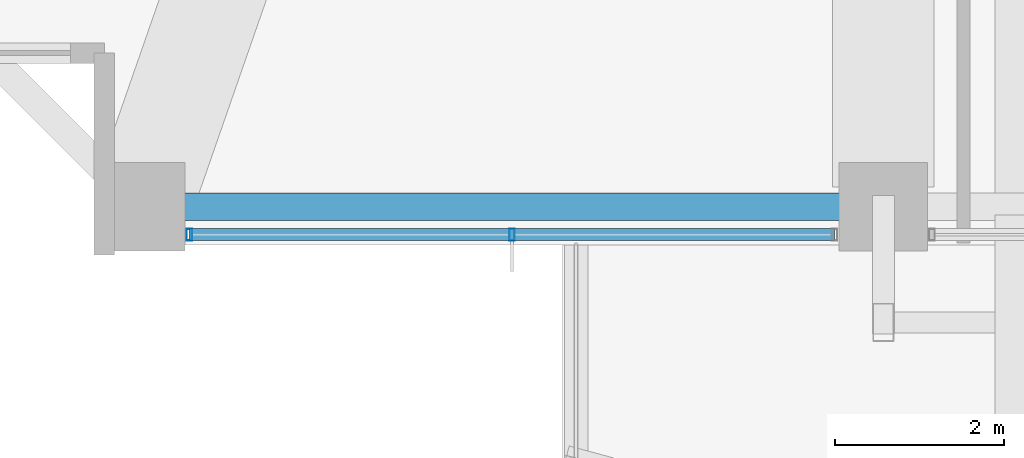
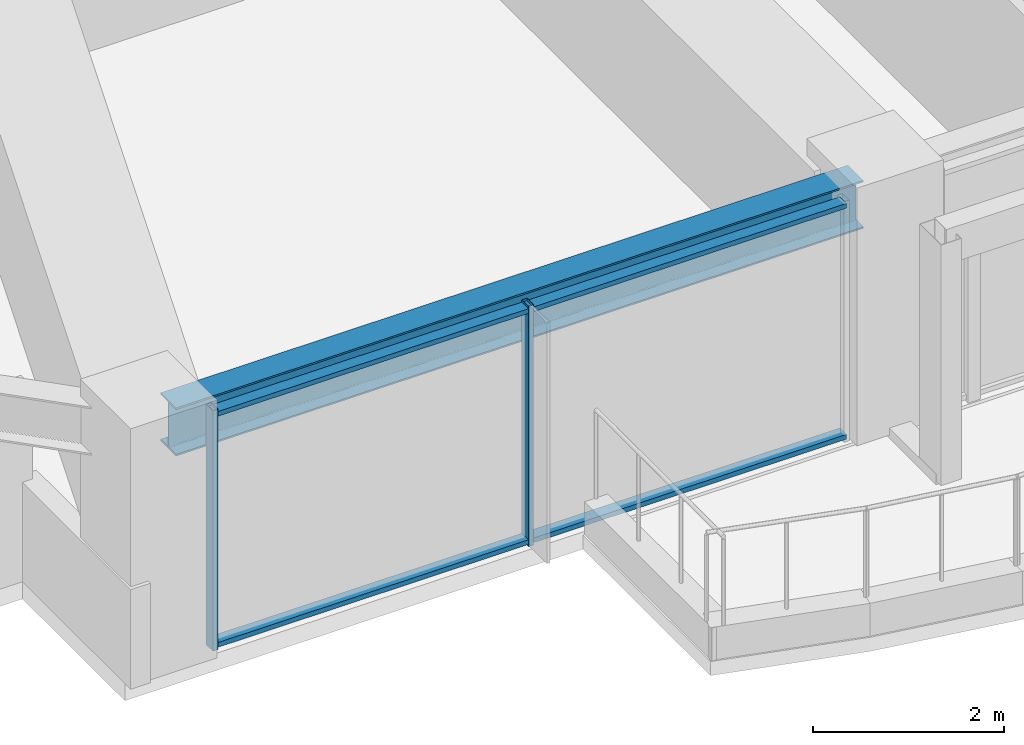
# One storey, part 2 of 39: 4 members, 1 beam, 1 element without a shape of its own.
"""IFC4 building model written with IfcOpenShell, lengths in metres."""

from ifc_helpers import new_model, si_unit, direction, frame, origin, origin_2d, place, context, subcontext, project, spatial, hollow_rectangle, i_section, extrude, material, material_profile, profile_set, type_object, element, aggregate, save


model = new_model("IFC4")

# Units and contexts
model_context = context("Model", 3, precision=1e-05, world=origin(), true_north=direction((0.0, 1.0)))
body_context = subcontext(model_context, "Body", "Model", "MODEL_VIEW")
ifc_project = project(units=[si_unit("LENGTHUNIT", "METRE"), si_unit("AREAUNIT", "SQUARE_METRE"), si_unit("VOLUMEUNIT", "CUBIC_METRE"), si_unit("PLANEANGLEUNIT", "RADIAN"), si_unit("MASSUNIT", "GRAM", prefix="KILO")], contexts=[model_context])

# Site, building, storey
site_placement = place(None, origin())
site = spatial("IfcSite", under=ifc_project, at=site_placement, CompositionType="ELEMENT")
building_placement = place(site_placement, origin())
building = spatial("IfcBuilding", under=site, at=building_placement, Name="Kolvaren Belvedere", CompositionType="ELEMENT")
storey_placement = place(building_placement, frame((0.0, 0.0, 85.39990234375)))
storey = spatial("IfcBuildingStorey", under=building, at=storey_placement, Name="L24", CompositionType="ELEMENT", Elevation=85.39990234375)

# Beam
ifc_material_1 = material(Name="Structural steel ASTM A992 Grade 50", Category="steel")
ifc_material_profile_1 = material_profile(ifc_material_1, i_section(OverallWidth=0.324951171875, OverallDepth=0.615966796875, WebThickness=0.013916015625, FlangeThickness=0.021484375, FilletRadius=0.02001953125, at=origin_2d()), Name="W24X117")
ifc_profile_set_1 = profile_set([ifc_material_profile_1], Name="Structural steel ASTM A992 Grade 50")
beam_type = type_object("IfcBeamType", Name="BM-SPAN-W24X117", PredefinedType="SPANDREL", material=ifc_profile_set_1)
beam_placement = place(storey_placement, frame((-13.163818359375, -19.949951171875, 2.772216796875), z_axis=(1.0, 0.0, 0.0), x_axis=(0.0, 1.0, 0.0)))
element("IfcBeam", 1, at=beam_placement, inside=storey, type_object=beam_type, Name="L24 Perimeter Spandrel S1-S2", PredefinedType="SPANDREL", context=body_context, shape_type="SweptSolid", body=[
    extrude(i_section(OverallWidth=0.324951171875, OverallDepth=0.615966796875, WebThickness=0.013916015625, FlangeThickness=0.021484375, FilletRadius=0.02001953125, at=origin_2d()), origin(), (0.0, 0.0, 1.0), 8.32763671875),
])

# Curtain wall, members
ifc_material_2 = material(Name="Anodised pale-metal aluminium AA 6063-T6", Category="aluminium")
curtain_wall_type = type_object("IfcCurtainWallType", Name="CW-Z2-MID", PredefinedType="NOTDEFINED", material=ifc_material_2)
curtain_wall_placement = place(storey_placement, origin())
curtain_wall = element("IfcCurtainWall", 2, at=curtain_wall_placement, inside=storey, type_object=curtain_wall_type, Name="L24 Unitised Curtain Wall FCW-L24-S2-B2", PredefinedType="NOTDEFINED")
ifc_material_3 = material(Name="Anodised pale-metal aluminium AA 6063-T6", Category="aluminium")
ifc_material_profile_2 = material_profile(ifc_material_3, hollow_rectangle(XDim=0.06494140625, YDim=0.139892578125, WallThickness=0.00390625, at=origin_2d()), Name="ALU-MUL-140X65")
ifc_profile_set_2 = profile_set([ifc_material_profile_2], Name="Anodised pale-metal aluminium AA 6063-T6")
member_type_1 = type_object("IfcMemberType", Name="CW-MUL-140", PredefinedType="MULLION", material=ifc_profile_set_2)
member_1_placement = place(storey_placement, frame((-9.0, -20.280029296875, 0.0), z_axis=(0.0, 0.0, 1.0), x_axis=(1.0, 0.0, 0.0)))
member_1 = element("IfcMember", 3, at=member_1_placement, type_object=member_type_1, Name="FCW-L24-S2-B2 Unitised Mullion 2", PredefinedType="MULLION", context=body_context, shape_type="SweptSolid", body=[
    extrude(hollow_rectangle(XDim=0.06494140625, YDim=0.139892578125, WallThickness=0.00390625, at=origin_2d()), origin(), (0.0, 0.0, 1.0), 3.080078125),
])
member_2_placement = place(storey_placement, frame((-12.822509765625, -20.280029296875, 0.0), z_axis=(0.0, 0.0, 1.0), x_axis=(1.0, 0.0, 0.0)))
member_2 = element("IfcMember", 4, at=member_2_placement, type_object=member_type_1, Name="FCW-L24-S2-B2 Unitised Mullion 3", PredefinedType="MULLION", context=body_context, shape_type="SweptSolid", body=[
    extrude(hollow_rectangle(XDim=0.06494140625, YDim=0.139892578125, WallThickness=0.00390625, at=origin_2d()), origin(), (0.0, 0.0, 1.0), 3.080078125),
])
ifc_material_4 = material(Name="Anodised pale-metal aluminium AA 6063-T6", Category="aluminium")
ifc_material_profile_3 = material_profile(ifc_material_4, hollow_rectangle(XDim=0.06005859375, YDim=0.139892578125, WallThickness=0.00390625, at=origin_2d()), Name="ALU-TRN-140X60")
ifc_profile_set_3 = profile_set([ifc_material_profile_3], Name="Anodised pale-metal aluminium AA 6063-T6")
member_type_2 = type_object("IfcMemberType", Name="CW-TRN-140", PredefinedType="USERDEFINED", material=ifc_profile_set_3)
member_3_placement = place(storey_placement, frame((-5.177490234375, -20.280029296875, 0.06005859375), z_axis=(-1.0, 0.0, 0.0), x_axis=(0.0, 0.0, 1.0)))
member_3 = element("IfcMember", 5, at=member_3_placement, type_object=member_type_2, Name="FCW-L24-S2-B2 Sill Transom", ObjectType="TRANSOM", PredefinedType="USERDEFINED", context=body_context, shape_type="SweptSolid", body=[
    extrude(hollow_rectangle(XDim=0.06005859375, YDim=0.139892578125, WallThickness=0.00390625, at=origin_2d()), origin(), (0.0, 0.0, 1.0), 7.64501953125),
])
member_4_placement = place(storey_placement, frame((-5.177490234375, -20.280029296875, 3.02001953125), z_axis=(-1.0, 0.0, 0.0), x_axis=(0.0, 0.0, 1.0)))
member_4 = element("IfcMember", 6, at=member_4_placement, type_object=member_type_2, Name="FCW-L24-S2-B2 Head Transom", ObjectType="TRANSOM", PredefinedType="USERDEFINED", context=body_context, shape_type="SweptSolid", body=[
    extrude(hollow_rectangle(XDim=0.06005859375, YDim=0.139892578125, WallThickness=0.00390625, at=origin_2d()), origin(), (0.0, 0.0, 1.0), 7.64501953125),
])
aggregate(curtain_wall, [member_1, member_2, member_3, member_4])

save(model, "model.ifc")
